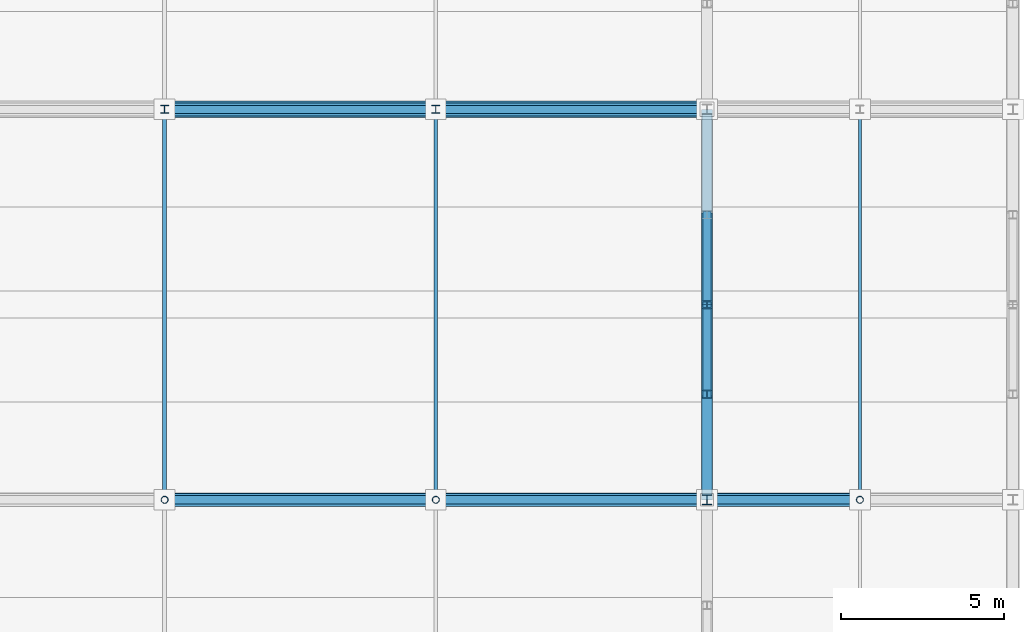
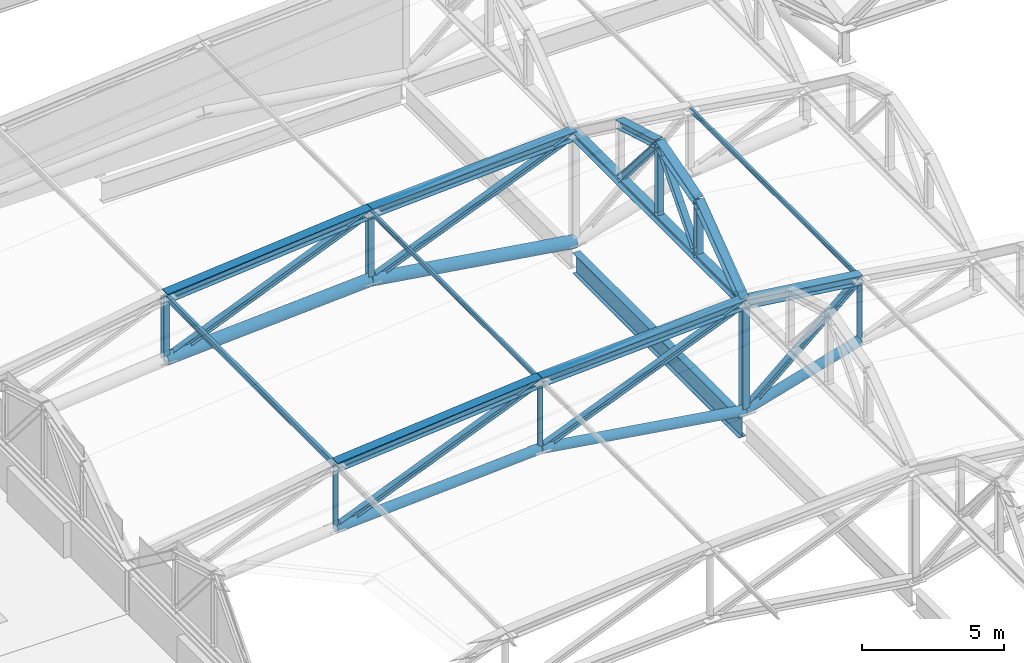
# One storey, part 40 of 117: 32 members, 1 beam.
"""IFC4 building model written with IfcOpenShell, lengths in metres."""

from ifc_helpers import new_model, si_unit, direction, frame, origin, origin_2d, place, context, subcontext, project, spatial, hollow_circle, i_section, extrude, material, material_profile, profile_set, type_object, element, save


model = new_model("IFC4")

# Units and contexts
model_context = context("Model", 3, precision=1e-05, world=origin(), true_north=direction((0.0, 1.0)))
body_context = subcontext(model_context, "Body", "Model", "MODEL_VIEW")
ifc_project = project(units=[si_unit("LENGTHUNIT", "METRE"), si_unit("AREAUNIT", "SQUARE_METRE"), si_unit("VOLUMEUNIT", "CUBIC_METRE"), si_unit("PLANEANGLEUNIT", "RADIAN"), si_unit("MASSUNIT", "GRAM", prefix="KILO")], contexts=[model_context])

# Site, building, storey
site_placement = place(None, origin())
site = spatial("IfcSite", under=ifc_project, at=site_placement, CompositionType="ELEMENT")
building_placement = place(site_placement, origin())
building = spatial("IfcBuilding", under=site, at=building_placement, Name="Kazenohara Klinker Stadium", CompositionType="ELEMENT")
storey_placement = place(building_placement, frame((0.0, 0.0, 31.199951171875)))
storey = spatial("IfcBuildingStorey", under=building, at=storey_placement, Name="RF", CompositionType="ELEMENT", Elevation=31.199951171875)

# Members
ifc_material = material(Name="Steel S355", Category="steel")
ifc_material_profile_1 = material_profile(ifc_material, i_section(OverallWidth=0.25, OverallDepth=0.25, WebThickness=0.009033203125, FlangeThickness=0.013916015625, FilletRadius=0.012939453125, at=origin_2d()), Name="H-250x250x9x14")
ifc_profile_set_1 = profile_set([ifc_material_profile_1], Name="Steel S355")
member_type_1 = type_object("IfcMemberType", Name="MEM-BRC02", PredefinedType="BRACE", material=ifc_profile_set_1)
member_1_placement = place(storey_placement, frame((32.333251953125, 108.0, 0.75), z_axis=(0.923953834256, 0.0, 0.382504002808), x_axis=(0.0, 1.0, 0.0)))
element("IfcMember", 1, at=member_1_placement, inside=storey, type_object=member_type_1, Name="ROOF TRUSS RT-W06 web diagonal 2", PredefinedType="BRACE", context=body_context, shape_type="SweptSolid", body=[
    extrude(i_section(OverallWidth=0.25, OverallDepth=0.25, WebThickness=0.009033203125, FlangeThickness=0.013916015625, FilletRadius=0.012939453125, at=origin_2d()), origin(), (0.0, 0.0, 1.0), 9.019287109375),
])
member_2_placement = place(storey_placement, frame((40.666748046875, 108.0, 1.25), z_axis=(0.925893541001, 0.0, 0.377784529503), x_axis=(0.0, 1.0, 0.0)))
element("IfcMember", 2, at=member_2_placement, inside=storey, type_object=member_type_1, Name="ROOF TRUSS RT-W06 web diagonal 3", PredefinedType="BRACE", context=body_context, shape_type="SweptSolid", body=[
    extrude(i_section(OverallWidth=0.25, OverallDepth=0.25, WebThickness=0.009033203125, FlangeThickness=0.013916015625, FilletRadius=0.012939453125, at=origin_2d()), origin(), (0.0, 0.0, 1.0), 9.000244140625),
])
member_3_placement = place(storey_placement, frame((49.0, 108.0, -0.02001953125), z_axis=(0.755945561544, 0.0, 0.65463448426), x_axis=(0.0, 1.0, 0.0)))
element("IfcMember", 3, at=member_3_placement, inside=storey, type_object=member_type_1, Name="ROOF TRUSS RT-W06 web diagonal 4", PredefinedType="BRACE", context=body_context, shape_type="SweptSolid", body=[
    extrude(i_section(OverallWidth=0.25, OverallDepth=0.25, WebThickness=0.009033203125, FlangeThickness=0.013916015625, FilletRadius=0.012939453125, at=origin_2d()), origin(), (0.0, 0.0, 1.0), 6.21728515625),
])
member_4_placement = place(storey_placement, frame((32.333251953125, 120.0, 0.75), z_axis=(0.923953834256, 0.0, 0.382504002808), x_axis=(0.0, 1.0, 0.0)))
element("IfcMember", 4, at=member_4_placement, inside=storey, type_object=member_type_1, Name="ROOF TRUSS RT-W07 web diagonal 2", PredefinedType="BRACE", context=body_context, shape_type="SweptSolid", body=[
    extrude(i_section(OverallWidth=0.25, OverallDepth=0.25, WebThickness=0.009033203125, FlangeThickness=0.013916015625, FilletRadius=0.012939453125, at=origin_2d()), origin(), (0.0, 0.0, 1.0), 9.019287109375),
])
member_5_placement = place(storey_placement, frame((40.666748046875, 120.0, 1.25), z_axis=(0.925893541001, 0.0, 0.377784529503), x_axis=(0.0, 1.0, 0.0)))
element("IfcMember", 5, at=member_5_placement, inside=storey, type_object=member_type_1, Name="ROOF TRUSS RT-W07 web diagonal 3", PredefinedType="BRACE", context=body_context, shape_type="SweptSolid", body=[
    extrude(i_section(OverallWidth=0.25, OverallDepth=0.25, WebThickness=0.009033203125, FlangeThickness=0.013916015625, FilletRadius=0.012939453125, at=origin_2d()), origin(), (0.0, 0.0, 1.0), 9.000244140625),
])
ifc_material_profile_2 = material_profile(ifc_material, i_section(OverallWidth=0.39990234375, OverallDepth=0.39990234375, WebThickness=0.012939453125, FlangeThickness=0.02099609375, FilletRadius=0.02197265625, at=origin_2d()), Name="H-400x400x13x21")
ifc_profile_set_2 = profile_set([ifc_material_profile_2], Name="Steel S355")
member_type_2 = type_object("IfcMemberType", Name="MEM-CHD01", PredefinedType="CHORD", material=ifc_profile_set_2)
member_6_placement = place(storey_placement, frame((32.333251953125, 108.0, 3.449951171875), z_axis=(0.995974595139, 0.0, 0.08963596286), x_axis=(0.0, 1.0, 0.0)))
element("IfcMember", 6, at=member_6_placement, inside=storey, type_object=member_type_2, Name="ROOF TRUSS RT-W06 top arched chord 2", PredefinedType="CHORD", context=body_context, shape_type="SweptSolid", body=[
    extrude(i_section(OverallWidth=0.39990234375, OverallDepth=0.39990234375, WebThickness=0.012939453125, FlangeThickness=0.02099609375, FilletRadius=0.02197265625, at=origin_2d()), origin(), (0.0, 0.0, 1.0), 8.3671875),
])
member_7_placement = place(storey_placement, frame((40.666748046875, 108.0, 4.199951171875), z_axis=(0.99854389216, 0.0, 0.053945300359), x_axis=(0.0, 1.0, 0.0)))
element("IfcMember", 7, at=member_7_placement, inside=storey, type_object=member_type_2, Name="ROOF TRUSS RT-W06 top arched chord 3", PredefinedType="CHORD", context=body_context, shape_type="SweptSolid", body=[
    extrude(i_section(OverallWidth=0.39990234375, OverallDepth=0.39990234375, WebThickness=0.012939453125, FlangeThickness=0.02099609375, FilletRadius=0.02197265625, at=origin_2d()), origin(), (0.0, 0.0, 1.0), 8.345458984375),
])
member_8_placement = place(storey_placement, frame((49.0, 108.0, 4.650146484375), z_axis=(0.99194702514, 0.0, -0.126653461524), x_axis=(0.0, 1.0, 0.0)))
element("IfcMember", 8, at=member_8_placement, inside=storey, type_object=member_type_2, Name="ROOF TRUSS RT-W06 top arched chord 4", PredefinedType="CHORD", context=body_context, shape_type="SweptSolid", body=[
    extrude(i_section(OverallWidth=0.39990234375, OverallDepth=0.39990234375, WebThickness=0.012939453125, FlangeThickness=0.02099609375, FilletRadius=0.02197265625, at=origin_2d()), origin(), (0.0, 0.0, 1.0), 4.738037109375),
])
member_9_placement = place(storey_placement, frame((32.333251953125, 120.0, 3.449951171875), z_axis=(0.995974595139, 0.0, 0.08963596286), x_axis=(0.0, 1.0, 0.0)))
element("IfcMember", 9, at=member_9_placement, inside=storey, type_object=member_type_2, Name="ROOF TRUSS RT-W07 top arched chord 2", PredefinedType="CHORD", context=body_context, shape_type="SweptSolid", body=[
    extrude(i_section(OverallWidth=0.39990234375, OverallDepth=0.39990234375, WebThickness=0.012939453125, FlangeThickness=0.02099609375, FilletRadius=0.02197265625, at=origin_2d()), origin(), (0.0, 0.0, 1.0), 8.3671875),
])
member_10_placement = place(storey_placement, frame((40.666748046875, 120.0, 4.199951171875), z_axis=(0.99854389216, 0.0, 0.053945300359), x_axis=(0.0, 1.0, 0.0)))
element("IfcMember", 10, at=member_10_placement, inside=storey, type_object=member_type_2, Name="ROOF TRUSS RT-W07 top arched chord 3", PredefinedType="CHORD", context=body_context, shape_type="SweptSolid", body=[
    extrude(i_section(OverallWidth=0.39990234375, OverallDepth=0.39990234375, WebThickness=0.012939453125, FlangeThickness=0.02099609375, FilletRadius=0.02197265625, at=origin_2d()), origin(), (0.0, 0.0, 1.0), 8.345458984375),
])
ifc_material_profile_3 = material_profile(ifc_material, i_section(OverallWidth=0.35009765625, OverallDepth=0.35009765625, WebThickness=0.011962890625, FlangeThickness=0.01904296875, FilletRadius=0.012939453125, at=origin_2d()), Name="H-350x350x12x19")
ifc_profile_set_3 = profile_set([ifc_material_profile_3], Name="Steel S355")
member_type_3 = type_object("IfcMemberType", Name="MEM-CHD02", PredefinedType="CHORD", material=ifc_profile_set_3)
member_11_placement = place(storey_placement, frame((49.0, 108.0, 4.650146484375), z_axis=(0.0, 1.0, 0.0), x_axis=(-1.0, 0.0, 0.0)))
element("IfcMember", 11, at=member_11_placement, inside=storey, type_object=member_type_3, Name="Barrel arch tie chord TC02 W-06-N3", PredefinedType="CHORD", context=body_context, shape_type="SweptSolid", body=[
    extrude(i_section(OverallWidth=0.35009765625, OverallDepth=0.35009765625, WebThickness=0.011962890625, FlangeThickness=0.01904296875, FilletRadius=0.012939453125, at=origin_2d()), origin(), (0.0, 0.0, 1.0), 12.0),
])
member_12_placement = place(storey_placement, frame((49.0, 108.0, 4.650146484375), z_axis=(0.0, 0.803567919639, 0.595213069856), x_axis=(-1.0, 0.0, 0.0)))
element("IfcMember", 12, at=member_12_placement, inside=storey, type_object=member_type_3, Name="Barrel arch top rib TC02 W-06-N3-S1", PredefinedType="CHORD", context=body_context, shape_type="SweptSolid", body=[
    extrude(i_section(OverallWidth=0.35009765625, OverallDepth=0.35009765625, WebThickness=0.011962890625, FlangeThickness=0.01904296875, FilletRadius=0.012939453125, at=origin_2d()), origin(), (0.0, 0.0, 1.0), 4.031982421875),
])
for number, where, z_axis, x_axis, name in (
    (13, (49.0, 111.239990234375, 7.050048828125), (0.0, 0.960462085918, 0.27841081429), (-1.0, 0.0, 0.0), "Barrel arch top rib TC02 W-06-N3-S2"),
    (14, (49.0, 114.0, 7.85009765625), (0.0, 0.960462085918, -0.27841081429), (-1.0, 0.0, 0.0), "Barrel arch top rib TC02 W-06-N3-S3"),
):
    element("IfcMember", number, at=place(storey_placement, frame(where, z_axis=z_axis, x_axis=x_axis)), inside=storey, type_object=member_type_3, Name=name, PredefinedType="CHORD", context=body_context, shape_type="SweptSolid", body=[
        extrude(i_section(OverallWidth=0.35009765625, OverallDepth=0.35009765625, WebThickness=0.011962890625, FlangeThickness=0.01904296875, FilletRadius=0.012939453125, at=origin_2d()), origin(), (0.0, 0.0, 1.0), 2.87353515625),
    ])
ifc_material_profile_4 = material_profile(ifc_material, hollow_circle(Radius=0.203125, WallThickness=0.011962890625, at=origin_2d()), Name="CHS-406.4x12")
ifc_profile_set_4 = profile_set([ifc_material_profile_4], Name="Steel S355")
member_type_4 = type_object("IfcMemberType", Name="MEM-CHD03", PredefinedType="CHORD", material=ifc_profile_set_4)
member_13_placement = place(storey_placement, frame((32.333251953125, 108.0, 0.75), z_axis=(0.998204915398, 0.0, 0.059891125175), x_axis=(0.0, 1.0, 0.0)))
element("IfcMember", 15, at=member_13_placement, inside=storey, type_object=member_type_4, Name="ROOF TRUSS RT-W06 bottom arched chord 2", PredefinedType="CHORD", context=body_context, shape_type="SweptSolid", body=[
    extrude(hollow_circle(Radius=0.203125, WallThickness=0.011962890625, at=origin_2d()), origin(), (0.0, 0.0, 1.0), 8.348388671875),
])
member_14_placement = place(storey_placement, frame((40.666748046875, 108.0, 1.25), z_axis=(0.988585006916, 0.0, -0.15066414338), x_axis=(0.0, 1.0, 0.0)))
element("IfcMember", 16, at=member_14_placement, inside=storey, type_object=member_type_4, Name="ROOF TRUSS RT-W06 bottom arched chord 3", PredefinedType="CHORD", context=body_context, shape_type="SweptSolid", body=[
    extrude(hollow_circle(Radius=0.203125, WallThickness=0.011962890625, at=origin_2d()), origin(), (0.0, 0.0, 1.0), 8.429443359375),
])
member_15_placement = place(storey_placement, frame((49.0, 108.0, -0.02001953125), z_axis=(0.960038530088, 0.0, 0.279867863012), x_axis=(0.0, 1.0, 0.0)))
element("IfcMember", 17, at=member_15_placement, inside=storey, type_object=member_type_4, Name="ROOF TRUSS RT-W06 bottom arched chord 4", PredefinedType="CHORD", context=body_context, shape_type="SweptSolid", body=[
    extrude(hollow_circle(Radius=0.203125, WallThickness=0.011962890625, at=origin_2d()), origin(), (0.0, 0.0, 1.0), 4.8955078125),
])
ifc_material_profile_5 = material_profile(ifc_material, hollow_circle(Radius=0.25390625, WallThickness=0.01611328125, at=origin_2d()), Name="CHS-508.0x16")
ifc_profile_set_5 = profile_set([ifc_material_profile_5], Name="Steel S355")
member_type_5 = type_object("IfcMemberType", Name="MEM-CHD04", PredefinedType="CHORD", material=ifc_profile_set_5)
member_16_placement = place(storey_placement, frame((32.333251953125, 120.0, 0.75), z_axis=(0.998204915398, 0.0, 0.059891125175), x_axis=(0.0, 1.0, 0.0)))
element("IfcMember", 18, at=member_16_placement, inside=storey, type_object=member_type_5, Name="ROOF TRUSS RT-W07 bottom arched chord 2", PredefinedType="CHORD", context=body_context, shape_type="SweptSolid", body=[
    extrude(hollow_circle(Radius=0.25390625, WallThickness=0.01611328125, at=origin_2d()), origin(), (0.0, 0.0, 1.0), 8.348388671875),
])
member_17_placement = place(storey_placement, frame((40.666748046875, 120.0, 1.25), z_axis=(0.988585006916, 0.0, -0.15066414338), x_axis=(0.0, 1.0, 0.0)))
element("IfcMember", 19, at=member_17_placement, inside=storey, type_object=member_type_5, Name="ROOF TRUSS RT-W07 bottom arched chord 3", PredefinedType="CHORD", context=body_context, shape_type="SweptSolid", body=[
    extrude(hollow_circle(Radius=0.25390625, WallThickness=0.01611328125, at=origin_2d()), origin(), (0.0, 0.0, 1.0), 8.429443359375),
])
ifc_material_profile_6 = material_profile(ifc_material, i_section(OverallWidth=0.125, OverallDepth=0.25, WebThickness=0.006103515625, FlangeThickness=0.009033203125, FilletRadius=0.008056640625, at=origin_2d()), Name="H-250x125x6x9")
ifc_profile_set_6 = profile_set([ifc_material_profile_6], Name="Steel S355")
member_type_6 = type_object("IfcMemberType", Name="MEM-PUR01", PredefinedType="PURLIN", material=ifc_profile_set_6)
member_18_placement = place(storey_placement, frame((32.333251953125, 108.0, 3.469970703125), z_axis=(0.0, 1.0, 0.0), x_axis=(-1.0, 0.0, 0.0)))
element("IfcMember", 20, at=member_18_placement, inside=storey, type_object=member_type_6, Name="Canopy valley tie purlin PR01 W-06-N1", PredefinedType="PURLIN", context=body_context, shape_type="SweptSolid", body=[
    extrude(i_section(OverallWidth=0.125, OverallDepth=0.25, WebThickness=0.006103515625, FlangeThickness=0.009033203125, FilletRadius=0.008056640625, at=origin_2d()), origin(), (0.0, 0.0, 1.0), 12.0),
])
ifc_material_profile_7 = material_profile(ifc_material, i_section(OverallWidth=0.10009765625, OverallDepth=0.199951171875, WebThickness=0.005615234375, FlangeThickness=0.008056640625, FilletRadius=0.008056640625, at=origin_2d()), Name="H-200x100x5.5x8")
ifc_profile_set_7 = profile_set([ifc_material_profile_7], Name="Steel S355")
member_type_7 = type_object("IfcMemberType", Name="MEM-PUR02", PredefinedType="PURLIN", material=ifc_profile_set_7)
for number, where, z_axis, x_axis, name in (
    (21, (40.666748046875, 108.0, 4.219970703125), (0.0, 1.0, 0.0), (-1.0, 0.0, 0.0), "Canopy valley tie purlin PR02 W-06-N2"),
    (22, (53.699951171875, 108.0, 4.070068359375), (0.0, 1.0, 0.0), (-1.0, 0.0, 0.0), "Canopy valley tie purlin PR02 W-06-N4"),
):
    element("IfcMember", number, at=place(storey_placement, frame(where, z_axis=z_axis, x_axis=x_axis)), inside=storey, type_object=member_type_7, Name=name, PredefinedType="PURLIN", context=body_context, shape_type="SweptSolid", body=[
        extrude(i_section(OverallWidth=0.10009765625, OverallDepth=0.199951171875, WebThickness=0.005615234375, FlangeThickness=0.008056640625, FilletRadius=0.008056640625, at=origin_2d()), origin(), (0.0, 0.0, 1.0), 12.0),
    ])
ifc_material_profile_8 = material_profile(ifc_material, i_section(OverallWidth=0.300048828125, OverallDepth=0.300048828125, WebThickness=0.010009765625, FlangeThickness=0.014892578125, FilletRadius=0.012939453125, at=origin_2d()), Name="H-300x300x10x15")
ifc_profile_set_8 = profile_set([ifc_material_profile_8], Name="Steel S355")
member_type_8 = type_object("IfcMemberType", Name="MEM-STR01", PredefinedType="STRUT", material=ifc_profile_set_8)
member_19_placement = place(storey_placement, frame((49.0, 108.0, -0.02001953125), z_axis=(0.0, 0.0, 1.0), x_axis=(1.0, 0.0, 0.0)))
element("IfcMember", 23, at=member_19_placement, inside=storey, type_object=member_type_8, Name="ROOF TRUSS RT-W06 web post 4", PredefinedType="STRUT", context=body_context, shape_type="SweptSolid", body=[
    extrude(i_section(OverallWidth=0.300048828125, OverallDepth=0.300048828125, WebThickness=0.010009765625, FlangeThickness=0.014892578125, FilletRadius=0.012939453125, at=origin_2d()), origin(), (0.0, 0.0, 1.0), 4.670166015625),
])
ifc_material_profile_9 = material_profile(ifc_material, i_section(OverallWidth=0.25, OverallDepth=0.25, WebThickness=0.009033203125, FlangeThickness=0.013916015625, FilletRadius=0.012939453125, at=origin_2d()), Name="H-250x250x9x14")
ifc_profile_set_9 = profile_set([ifc_material_profile_9], Name="Steel S355")
member_type_9 = type_object("IfcMemberType", Name="MEM-STR02", PredefinedType="STRUT", material=ifc_profile_set_9)
member_20_placement = place(storey_placement, frame((32.333251953125, 120.0, 0.75), z_axis=(0.0, 0.0, 1.0), x_axis=(1.0, 0.0, 0.0)))
element("IfcMember", 24, at=member_20_placement, inside=storey, type_object=member_type_9, Name="ROOF TRUSS RT-W07 web post 2", PredefinedType="STRUT", context=body_context, shape_type="SweptSolid", body=[
    extrude(i_section(OverallWidth=0.25, OverallDepth=0.25, WebThickness=0.009033203125, FlangeThickness=0.013916015625, FilletRadius=0.012939453125, at=origin_2d()), origin(), (0.0, 0.0, 1.0), 2.699951171875),
])
member_21_placement = place(storey_placement, frame((40.666748046875, 120.0, 1.25), z_axis=(0.0, 0.0, 1.0), x_axis=(1.0, 0.0, 0.0)))
element("IfcMember", 25, at=member_21_placement, inside=storey, type_object=member_type_9, Name="ROOF TRUSS RT-W07 web post 3", PredefinedType="STRUT", context=body_context, shape_type="SweptSolid", body=[
    extrude(i_section(OverallWidth=0.25, OverallDepth=0.25, WebThickness=0.009033203125, FlangeThickness=0.013916015625, FilletRadius=0.012939453125, at=origin_2d()), origin(), (0.0, 0.0, 1.0), 2.949951171875),
])
member_22_placement = place(storey_placement, frame((49.0, 111.239990234375, 4.650146484375), z_axis=(0.0, 0.0, 1.0), x_axis=(1.0, 0.0, 0.0)))
element("IfcMember", 26, at=member_22_placement, inside=storey, type_object=member_type_9, Name="Barrel arch web post TS02 W-06-N3-P1", PredefinedType="STRUT", context=body_context, shape_type="SweptSolid", body=[
    extrude(i_section(OverallWidth=0.25, OverallDepth=0.25, WebThickness=0.009033203125, FlangeThickness=0.013916015625, FilletRadius=0.012939453125, at=origin_2d()), origin(), (0.0, 0.0, 1.0), 2.39990234375),
])
member_23_placement = place(storey_placement, frame((49.0, 114.0, 4.650146484375), z_axis=(0.0, 0.0, 1.0), x_axis=(1.0, 0.0, 0.0)))
element("IfcMember", 27, at=member_23_placement, inside=storey, type_object=member_type_9, Name="Barrel arch web post TS02 W-06-N3-P2", PredefinedType="STRUT", context=body_context, shape_type="SweptSolid", body=[
    extrude(i_section(OverallWidth=0.25, OverallDepth=0.25, WebThickness=0.009033203125, FlangeThickness=0.013916015625, FilletRadius=0.012939453125, at=origin_2d()), origin(), (0.0, 0.0, 1.0), 3.199951171875),
])
for number, where, z_axis, x_axis, name in (
    (28, (49.0, 111.239990234375, 4.650146484375), (0.0, 0.653133887971, 0.757242447558), (-1.0, 0.0, 0.0), "Barrel arch web diagonal TS02 W-06-N3-D1"),
    (29, (49.0, 116.760009765625, 4.650146484375), (0.0, -0.653133887971, 0.757242447558), (1.0, 0.0, 0.0), "Barrel arch web diagonal TS02 W-06-N3-D2"),
):
    element("IfcMember", number, at=place(storey_placement, frame(where, z_axis=z_axis, x_axis=x_axis)), inside=storey, type_object=member_type_9, Name=name, PredefinedType="STRUT", context=body_context, shape_type="SweptSolid", body=[
        extrude(i_section(OverallWidth=0.25, OverallDepth=0.25, WebThickness=0.009033203125, FlangeThickness=0.013916015625, FilletRadius=0.012939453125, at=origin_2d()), origin(), (0.0, 0.0, 1.0), 4.225830078125),
    ])
ifc_material_profile_10 = material_profile(ifc_material, hollow_circle(Radius=0.108154296875, WallThickness=0.008056640625, at=origin_2d()), Name="CHS-216.3x8")
ifc_profile_set_10 = profile_set([ifc_material_profile_10], Name="Steel S355")
member_type_10 = type_object("IfcMemberType", Name="MEM-STR04", PredefinedType="STRUT", material=ifc_profile_set_10)
member_24_placement = place(storey_placement, frame((32.333251953125, 108.0, 0.75), z_axis=(0.0, 0.0, 1.0), x_axis=(1.0, 0.0, 0.0)))
element("IfcMember", 30, at=member_24_placement, inside=storey, type_object=member_type_10, Name="ROOF TRUSS RT-W06 web post 2", PredefinedType="STRUT", context=body_context, shape_type="SweptSolid", body=[
    extrude(hollow_circle(Radius=0.108154296875, WallThickness=0.008056640625, at=origin_2d()), origin(), (0.0, 0.0, 1.0), 2.699951171875),
])
member_25_placement = place(storey_placement, frame((40.666748046875, 108.0, 1.25), z_axis=(0.0, 0.0, 1.0), x_axis=(1.0, 0.0, 0.0)))
element("IfcMember", 31, at=member_25_placement, inside=storey, type_object=member_type_10, Name="ROOF TRUSS RT-W06 web post 3", PredefinedType="STRUT", context=body_context, shape_type="SweptSolid", body=[
    extrude(hollow_circle(Radius=0.108154296875, WallThickness=0.008056640625, at=origin_2d()), origin(), (0.0, 0.0, 1.0), 2.949951171875),
])
member_26_placement = place(storey_placement, frame((53.699951171875, 108.0, 1.35009765625), z_axis=(0.0, 0.0, 1.0), x_axis=(1.0, 0.0, 0.0)))
element("IfcMember", 32, at=member_26_placement, inside=storey, type_object=member_type_10, Name="ROOF TRUSS RT-W06 web post 5", PredefinedType="STRUT", context=body_context, shape_type="SweptSolid", body=[
    extrude(hollow_circle(Radius=0.108154296875, WallThickness=0.008056640625, at=origin_2d()), origin(), (0.0, 0.0, 1.0), 2.699951171875),
])

# Beam
ifc_material_profile_11 = material_profile(ifc_material, i_section(OverallWidth=0.300048828125, OverallDepth=0.89990234375, WebThickness=0.01611328125, FlangeThickness=0.028076171875, FilletRadius=0.02197265625, at=origin_2d()), Name="H-900x300x16x28")
ifc_profile_set_11 = profile_set([ifc_material_profile_11], Name="Steel S355")
beam_type = type_object("IfcBeamType", Name="RING-RB01", PredefinedType="USERDEFINED", material=ifc_profile_set_11)
beam_placement = place(storey_placement, frame((49.0, 108.139892578125, -0.820068359375), z_axis=(0.0, 1.0, 0.0), x_axis=(-1.0, 0.0, 0.0)))
element("IfcBeam", 33, at=beam_placement, inside=storey, type_object=beam_type, Name="Roof ring beam RB01 W-IN K-L", ObjectType="RING BEAM", PredefinedType="USERDEFINED", context=body_context, shape_type="SweptSolid", body=[
    extrude(i_section(OverallWidth=0.300048828125, OverallDepth=0.89990234375, WebThickness=0.01611328125, FlangeThickness=0.028076171875, FilletRadius=0.02197265625, at=origin_2d()), origin(), (0.0, 0.0, 1.0), 11.72021484375),
])

save(model, "model.ifc")
